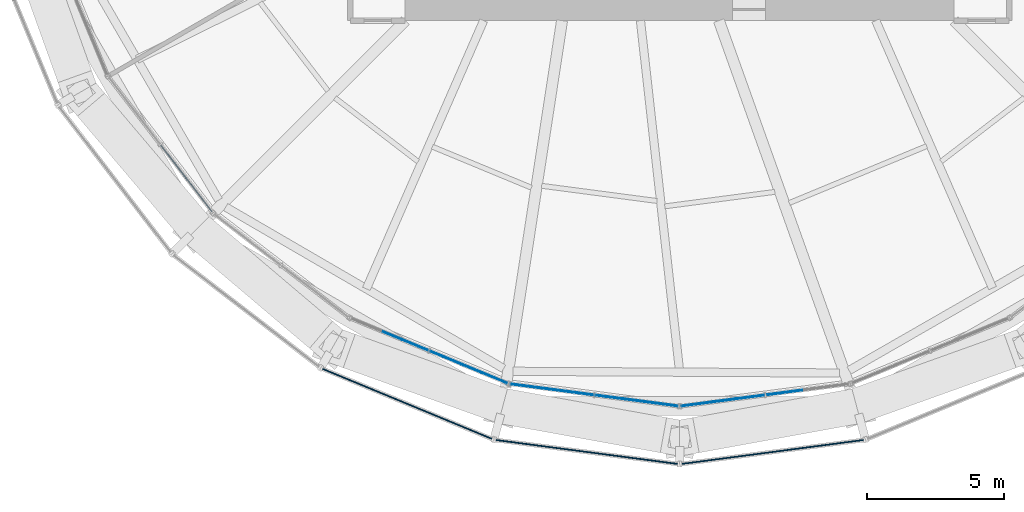
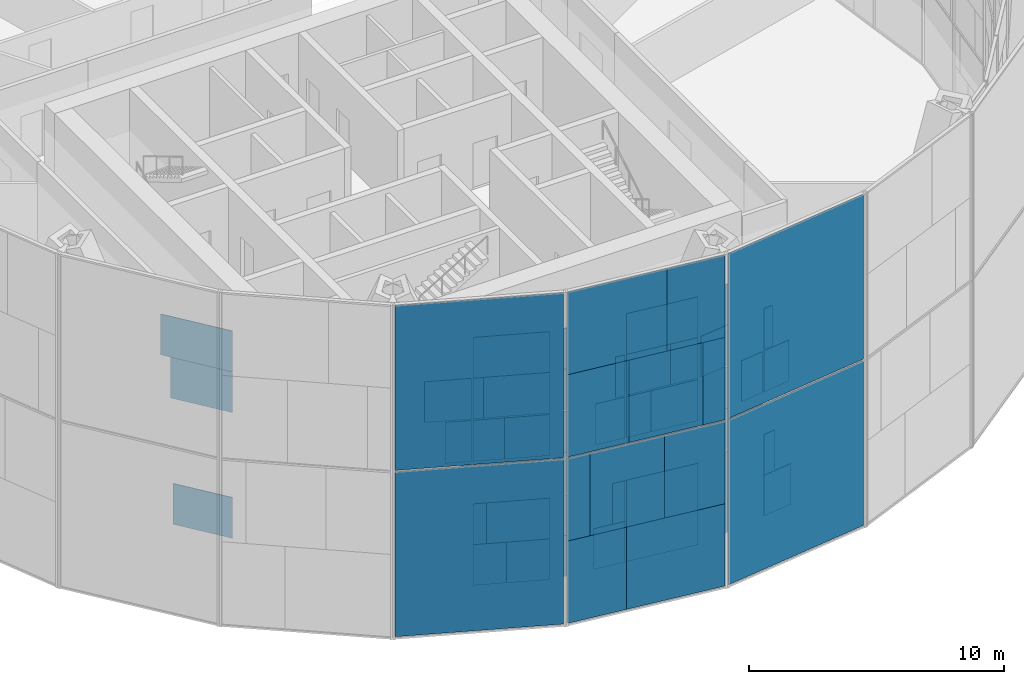
# One storey, part 12 of 26: 62 plates, 7 elements without a shape of their own.
"""IFC4 building model written with IfcOpenShell, lengths in metres."""

from ifc_helpers import new_model, si_unit, direction, frame, origin, origin_2d, place, context, subcontext, project, spatial, rectangle, extrude, material, layer, layer_set, type_object, element, aggregate, save


model = new_model("IFC4")

# Units and contexts
model_context = context("Model", 3, precision=1e-05, world=origin(), true_north=direction((0.0, 1.0)))
body_context = subcontext(model_context, "Body", "Model", "MODEL_VIEW")
ifc_project = project(units=[si_unit("LENGTHUNIT", "METRE"), si_unit("AREAUNIT", "SQUARE_METRE"), si_unit("VOLUMEUNIT", "CUBIC_METRE"), si_unit("PLANEANGLEUNIT", "RADIAN"), si_unit("MASSUNIT", "GRAM", prefix="KILO")], contexts=[model_context])

# Site, building, storey
site_placement = place(None, origin())
site = spatial("IfcSite", under=ifc_project, at=site_placement, CompositionType="ELEMENT")
building_placement = place(site_placement, origin())
building = spatial("IfcBuilding", under=site, at=building_placement, Name="Golbaran Civic Tower", CompositionType="ELEMENT")
storey_placement = place(building_placement, frame((0.0, 0.0, 69.0)))
storey = spatial("IfcBuildingStorey", under=building, at=storey_placement, Name="L16", CompositionType="ELEMENT", Elevation=69.0)

# Curtain wall, plates
ifc_material_1 = material(Name="Aluminium and glass", Category="aluminium")
curtain_wall_type_1 = type_object("IfcCurtainWallType", Name="INNER SKIN CURTAIN WALL", PredefinedType="NOTDEFINED", material=ifc_material_1)
curtain_wall_1_placement = place(storey_placement, origin())
curtain_wall_1 = element("IfcCurtainWall", 1, at=curtain_wall_1_placement, inside=storey, type_object=curtain_wall_type_1, Name="Inner skin L16 facet 15 CW1", ObjectType="INNER SKIN", PredefinedType="USERDEFINED")
ifc_material_2 = material(Name="Clear insulating glass", Category="glass")
ifc_layer_1 = layer(ifc_material_2, 0.031982421875, Name="Clear insulating glass")
ifc_layer_set_1 = layer_set([ifc_layer_1], Name="Clear insulating glass")
plate_type_1 = type_object("IfcPlateType", Name="INNER SKIN CURTAIN WALL GLAZED PANEL", PredefinedType="CURTAIN_PANEL", material=ifc_layer_set_1)
plate_1_placement = place(storey_placement, frame((-17.848388671875, -15.912841796875, 8.032470703125), z_axis=(0.0, 0.0, 1.0), x_axis=(0.608761428967, -0.793353340323, 0.0)))
plate_1 = element("IfcPlate", 2, at=plate_1_placement, type_object=plate_type_1, Name="CW1 panel 2.3 part 2", PredefinedType="CURTAIN_PANEL", context=body_context, shape_type="SweptSolid", body=[
    extrude(rectangle(XDim=2.631103515625, YDim=0.031982421875, at=origin_2d()), origin(), (0.0, 0.0, 1.0), 1.951171875),
])
plate_2_placement = place(storey_placement, frame((-17.9736328125, -15.749755859375, 9.98388671875), z_axis=(0.0, 0.0, 1.0), x_axis=(0.608761428967, -0.793353340323, 0.0)))
plate_2 = element("IfcPlate", 3, at=plate_2_placement, type_object=plate_type_1, Name="CW1 panel 2.3 part 3", PredefinedType="CURTAIN_PANEL", context=body_context, shape_type="SweptSolid", body=[
    extrude(rectangle(XDim=3.0419921875, YDim=0.031982421875, at=origin_2d()), origin(), (0.0, 0.0, 1.0), 1.951171875),
])

curtain_wall_2_placement = place(storey_placement, origin())
curtain_wall_2 = element("IfcCurtainWall", 4, at=curtain_wall_2_placement, inside=storey, type_object=curtain_wall_type_1, Name="Inner skin L16 facet 17 CW1", ObjectType="INNER SKIN", PredefinedType="USERDEFINED")
plate_3_placement = place(storey_placement, frame((-8.48193359375, -22.298583984375, 0.06494140625), z_axis=(0.0, 0.0, 1.0), x_axis=(0.923879532478, -0.382683432446, 0.0)))
plate_3 = element("IfcPlate", 5, at=plate_3_placement, type_object=plate_type_1, Name="CW1 panel 2.1 part 1", PredefinedType="CURTAIN_PANEL", context=body_context, shape_type="SweptSolid", body=[
    extrude(rectangle(XDim=1.3291015625, YDim=0.031982421875, at=origin_2d()), origin(), (0.0, 0.0, 1.0), 1.951171875),
])
plate_4_placement = place(storey_placement, frame((-8.8505859375, -22.14599609375, 2.016357421875), z_axis=(0.0, 0.0, 1.0), x_axis=(0.923879532478, -0.382683432446, 0.0)))
plate_4 = element("IfcPlate", 6, at=plate_4_placement, type_object=plate_type_1, Name="CW1 panel 2.1 part 3", PredefinedType="CURTAIN_PANEL", context=body_context, shape_type="SweptSolid", body=[
    extrude(rectangle(XDim=0.531005859375, YDim=0.031982421875, at=origin_2d()), origin(), (0.0, 0.0, 1.0), 1.951171875),
])
plate_5_placement = place(storey_placement, frame((-6.74365234375, -23.018798828125, 4.03271484375), z_axis=(0.0, 0.0, 1.0), x_axis=(0.923879532478, -0.382683432446, 0.0)))
plate_5 = element("IfcPlate", 7, at=plate_5_placement, type_object=plate_type_1, Name="CW1 panel 2.2 part 2", PredefinedType="CURTAIN_PANEL", context=body_context, shape_type="SweptSolid", body=[
    extrude(rectangle(XDim=0.991943359375, YDim=0.031982421875, at=origin_2d()), origin(), (0.0, 0.0, 1.0), 1.967529296875),
])
plate_6_placement = place(storey_placement, frame((-7.115966796875, -22.864501953125, 6.0), z_axis=(0.0, 0.0, 1.0), x_axis=(0.923879532478, -0.382683432446, 0.0)))
plate_6 = element("IfcPlate", 8, at=plate_6_placement, type_object=plate_type_1, Name="CW1 panel 2.2 part 4", PredefinedType="CURTAIN_PANEL", context=body_context, shape_type="SweptSolid", body=[
    extrude(rectangle(XDim=1.798095703125, YDim=0.031982421875, at=origin_2d()), origin(), (0.0, 0.0, 1.0), 1.967529296875),
])
plate_7_placement = place(storey_placement, frame((-7.500732421875, -22.705078125, 8.032470703125), z_axis=(0.0, 0.0, 1.0), x_axis=(0.923879532478, -0.382683432446, 0.0)))
plate_7 = element("IfcPlate", 9, at=plate_7_placement, type_object=plate_type_1, Name="CW1 panel 2.3 part 2", PredefinedType="CURTAIN_PANEL", context=body_context, shape_type="SweptSolid", body=[
    extrude(rectangle(XDim=2.631103515625, YDim=0.031982421875, at=origin_2d()), origin(), (0.0, 0.0, 1.0), 1.951171875),
])
plate_8_placement = place(storey_placement, frame((-7.690673828125, -22.62646484375, 9.98388671875), z_axis=(0.0, 0.0, 1.0), x_axis=(0.923879532478, -0.382683432446, 0.0)))
plate_8 = element("IfcPlate", 10, at=plate_8_placement, type_object=plate_type_1, Name="CW1 panel 2.3 part 3", PredefinedType="CURTAIN_PANEL", context=body_context, shape_type="SweptSolid", body=[
    extrude(rectangle(XDim=3.0419921875, YDim=0.031982421875, at=origin_2d()), origin(), (0.0, 0.0, 1.0), 1.951171875),
])

curtain_wall_3_placement = place(storey_placement, origin())
curtain_wall_3 = element("IfcCurtainWall", 11, at=curtain_wall_3_placement, inside=storey, type_object=curtain_wall_type_1, Name="Inner skin L16 facet 18 CW1", ObjectType="INNER SKIN", PredefinedType="USERDEFINED")
plate_9_placement = place(storey_placement, frame((-3.8037109375, -23.55224609375, 0.06494140625), z_axis=(0.0, 0.0, 1.0), x_axis=(0.991444861381, -0.130526192168, 0.0)))
plate_9 = element("IfcPlate", 12, at=plate_9_placement, type_object=plate_type_1, Name="CW1 panel 1.1 part 2", PredefinedType="CURTAIN_PANEL", context=body_context, shape_type="SweptSolid", body=[
    extrude(rectangle(XDim=1.3291015625, YDim=0.031982421875, at=origin_2d()), origin(), (0.0, 0.0, 1.0), 1.951171875),
])
plate_10_placement = place(storey_placement, frame((-3.408203125, -23.604248046875, 2.016357421875), z_axis=(0.0, 0.0, 1.0), x_axis=(0.991444861381, -0.130526192168, 0.0)))
plate_10 = element("IfcPlate", 13, at=plate_10_placement, type_object=plate_type_1, Name="CW1 panel 1.1 part 4", PredefinedType="CURTAIN_PANEL", context=body_context, shape_type="SweptSolid", body=[
    extrude(rectangle(XDim=0.531005859375, YDim=0.031982421875, at=origin_2d()), origin(), (0.0, 0.0, 1.0), 1.951171875),
])
plate_11_placement = place(storey_placement, frame((-5.669189453125, -23.306640625, 4.03271484375), z_axis=(0.0, 0.0, 1.0), x_axis=(0.991444861381, -0.130526192168, 0.0)))
plate_11 = element("IfcPlate", 14, at=plate_11_placement, type_object=plate_type_1, Name="CW1 panel 1.2 part 1", PredefinedType="CURTAIN_PANEL", context=body_context, shape_type="SweptSolid", body=[
    extrude(rectangle(XDim=0.991943359375, YDim=0.031982421875, at=origin_2d()), origin(), (0.0, 0.0, 1.0), 1.967529296875),
])
plate_12_placement = place(storey_placement, frame((-5.26904296875, -23.359375, 6.0), z_axis=(0.0, 0.0, 1.0), x_axis=(0.991444861381, -0.130526192168, 0.0)))
plate_12 = element("IfcPlate", 15, at=plate_12_placement, type_object=plate_type_1, Name="CW1 panel 1.2 part 3", PredefinedType="CURTAIN_PANEL", context=body_context, shape_type="SweptSolid", body=[
    extrude(rectangle(XDim=1.799072265625, YDim=0.031982421875, at=origin_2d()), origin(), (0.0, 0.0, 1.0), 1.967529296875),
])
plate_13_placement = place(storey_placement, frame((-4.856689453125, -23.41357421875, 8.032470703125), z_axis=(0.0, 0.0, 1.0), x_axis=(0.991444861381, -0.130526192168, 0.0)))
plate_13 = element("IfcPlate", 16, at=plate_13_placement, type_object=plate_type_1, Name="CW1 panel 1.3 part 1", PredefinedType="CURTAIN_PANEL", context=body_context, shape_type="SweptSolid", body=[
    extrude(rectangle(XDim=2.631103515625, YDim=0.031982421875, at=origin_2d()), origin(), (0.0, 0.0, 1.0), 1.951171875),
])
plate_14_placement = place(storey_placement, frame((-4.65283203125, -23.4404296875, 9.98388671875), z_axis=(0.0, 0.0, 1.0), x_axis=(0.991444861381, -0.130526192168, 0.0)))
plate_14 = element("IfcPlate", 17, at=plate_14_placement, type_object=plate_type_1, Name="CW1 panel 1.3 part 3", PredefinedType="CURTAIN_PANEL", context=body_context, shape_type="SweptSolid", body=[
    extrude(rectangle(XDim=3.0419921875, YDim=0.031982421875, at=origin_2d()), origin(), (0.0, 0.0, 1.0), 1.951171875),
])
plate_15_placement = place(storey_placement, frame((-1.572509765625, -23.845947265625, 0.06494140625), z_axis=(0.0, 0.0, 1.0), x_axis=(0.991444861381, -0.130526192168, 0.0)))
plate_15 = element("IfcPlate", 18, at=plate_15_placement, type_object=plate_type_1, Name="CW1 panel 2.1", PredefinedType="CURTAIN_PANEL", context=body_context, shape_type="SweptSolid", body=[
    extrude(rectangle(XDim=3.0419921875, YDim=0.031982421875, at=origin_2d()), origin(), (0.0, 0.0, 1.0), 3.902587890625),
])
plate_16_placement = place(storey_placement, frame((-1.373779296875, -23.8720703125, 4.03271484375), z_axis=(0.0, 0.0, 1.0), x_axis=(0.991444861381, -0.130526192168, 0.0)))
plate_16 = element("IfcPlate", 19, at=plate_16_placement, type_object=plate_type_1, Name="CW1 panel 2.2 part 2", PredefinedType="CURTAIN_PANEL", context=body_context, shape_type="SweptSolid", body=[
    extrude(rectangle(XDim=2.64111328125, YDim=0.031982421875, at=origin_2d()), origin(), (0.0, 0.0, 1.0), 1.967529296875),
])
plate_17_placement = place(storey_placement, frame((-1.057373046875, -23.913818359375, 6.0), z_axis=(0.0, 0.0, 1.0), x_axis=(0.991444861381, -0.130526192168, 0.0)))
plate_17 = element("IfcPlate", 20, at=plate_17_placement, type_object=plate_type_1, Name="CW1 panel 2.2 part 4", PredefinedType="CURTAIN_PANEL", context=body_context, shape_type="SweptSolid", body=[
    extrude(rectangle(XDim=2.0029296875, YDim=0.031982421875, at=origin_2d()), origin(), (0.0, 0.0, 1.0), 1.967529296875),
])
plate_18_placement = place(storey_placement, frame((-0.64892578125, -23.967529296875, 8.032470703125), z_axis=(0.0, 0.0, 1.0), x_axis=(0.991444861381, -0.130526192168, 0.0)))
plate_18 = element("IfcPlate", 21, at=plate_18_placement, type_object=plate_type_1, Name="CW1 panel 2.3 part 2", PredefinedType="CURTAIN_PANEL", context=body_context, shape_type="SweptSolid", body=[
    extrude(rectangle(XDim=1.178955078125, YDim=0.031982421875, at=origin_2d()), origin(), (0.0, 0.0, 1.0), 1.951171875),
])

curtain_wall_4_placement = place(storey_placement, origin())
curtain_wall_4 = element("IfcCurtainWall", 22, at=curtain_wall_4_placement, inside=storey, type_object=curtain_wall_type_1, Name="Inner skin L16 facet 19 CW1", ObjectType="INNER SKIN", PredefinedType="USERDEFINED")
plate_19_placement = place(storey_placement, frame((1.572509765625, -23.845947265625, 0.06494140625), z_axis=(0.0, 0.0, 1.0), x_axis=(0.991444861381, 0.130526192168, 0.0)))
plate_19 = element("IfcPlate", 23, at=plate_19_placement, type_object=plate_type_1, Name="CW1 panel 1.1", PredefinedType="CURTAIN_PANEL", context=body_context, shape_type="SweptSolid", body=[
    extrude(rectangle(XDim=3.0419921875, YDim=0.031982421875, at=origin_2d()), origin(), (0.0, 0.0, 1.0), 3.902587890625),
])
plate_20_placement = place(storey_placement, frame((1.37353515625, -23.8720703125, 4.03271484375), z_axis=(0.0, 0.0, 1.0), x_axis=(0.991444861381, 0.130526192168, 0.0)))
plate_20 = element("IfcPlate", 24, at=plate_20_placement, type_object=plate_type_1, Name="CW1 panel 1.2 part 1", PredefinedType="CURTAIN_PANEL", context=body_context, shape_type="SweptSolid", body=[
    extrude(rectangle(XDim=2.64111328125, YDim=0.031982421875, at=origin_2d()), origin(), (0.0, 0.0, 1.0), 1.967529296875),
])
plate_21_placement = place(storey_placement, frame((1.057373046875, -23.913818359375, 6.0), z_axis=(0.0, 0.0, 1.0), x_axis=(0.991444861381, 0.130526192168, 0.0)))
plate_21 = element("IfcPlate", 25, at=plate_21_placement, type_object=plate_type_1, Name="CW1 panel 1.2 part 3", PredefinedType="CURTAIN_PANEL", context=body_context, shape_type="SweptSolid", body=[
    extrude(rectangle(XDim=2.0029296875, YDim=0.031982421875, at=origin_2d()), origin(), (0.0, 0.0, 1.0), 1.967529296875),
])
plate_22_placement = place(storey_placement, frame((0.64892578125, -23.967529296875, 8.032470703125), z_axis=(0.0, 0.0, 1.0), x_axis=(0.991444861381, 0.130526192168, 0.0)))
plate_22 = element("IfcPlate", 26, at=plate_22_placement, type_object=plate_type_1, Name="CW1 panel 1.3 part 1", PredefinedType="CURTAIN_PANEL", context=body_context, shape_type="SweptSolid", body=[
    extrude(rectangle(XDim=1.178955078125, YDim=0.031982421875, at=origin_2d()), origin(), (0.0, 0.0, 1.0), 1.951171875),
])
plate_23_placement = place(storey_placement, frame((3.8037109375, -23.55224609375, 0.06494140625), z_axis=(0.0, 0.0, 1.0), x_axis=(0.991444861381, 0.130526192168, 0.0)))
plate_23 = element("IfcPlate", 27, at=plate_23_placement, type_object=plate_type_1, Name="CW1 panel 2.1 part 1", PredefinedType="CURTAIN_PANEL", context=body_context, shape_type="SweptSolid", body=[
    extrude(rectangle(XDim=1.3291015625, YDim=0.031982421875, at=origin_2d()), origin(), (0.0, 0.0, 1.0), 1.951171875),
])
plate_24_placement = place(storey_placement, frame((3.408203125, -23.604248046875, 2.016357421875), z_axis=(0.0, 0.0, 1.0), x_axis=(0.991444861381, 0.130526192168, 0.0)))
plate_24 = element("IfcPlate", 28, at=plate_24_placement, type_object=plate_type_1, Name="CW1 panel 2.1 part 3", PredefinedType="CURTAIN_PANEL", context=body_context, shape_type="SweptSolid", body=[
    extrude(rectangle(XDim=0.531005859375, YDim=0.031982421875, at=origin_2d()), origin(), (0.0, 0.0, 1.0), 1.951171875),
])

# Plate
ifc_material_3 = material(Name="Aluminium faced opaque infill panel", Category="aluminium")
ifc_layer_2 = layer(ifc_material_3, 0.031982421875, Name="Aluminium faced opaque infill panel")
ifc_layer_set_2 = layer_set([ifc_layer_2], Name="Aluminium faced opaque infill panel")
plate_type_2 = type_object("IfcPlateType", Name="INNER SKIN CURTAIN WALL OPAQUE INFILL PANEL", PredefinedType="CURTAIN_PANEL", material=ifc_layer_set_2)
plate_25_placement = place(storey_placement, frame((-17.81201171875, -15.96044921875, 2.016357421875), z_axis=(0.0, 0.0, 1.0), x_axis=(0.608761428967, -0.793353340323, 0.0)))
plate_25 = element("IfcPlate", 29, at=plate_25_placement, type_object=plate_type_2, Name="CW1 infill panel 2.1 part 4", PredefinedType="CURTAIN_PANEL", context=body_context, shape_type="SweptSolid", body=[
    extrude(rectangle(XDim=2.510986328125, YDim=0.031982421875, at=origin_2d()), origin(), (0.0, 0.0, 1.0), 1.951171875),
])

aggregate(curtain_wall_1, [plate_25, plate_1, plate_2])

plate_26_placement = place(storey_placement, frame((-9.34130859375, -21.94287109375, 4.03271484375), z_axis=(0.0, 0.0, 1.0), x_axis=(0.923879532478, -0.382683432446, 0.0)))
plate_26 = element("IfcPlate", 30, at=plate_26_placement, type_object=plate_type_2, Name="CW1 infill panel 1.2 part 2", PredefinedType="CURTAIN_PANEL", context=body_context, shape_type="SweptSolid", body=[
    extrude(rectangle(XDim=0.401123046875, YDim=0.031982421875, at=origin_2d()), origin(), (0.0, 0.0, 1.0), 1.967529296875),
])

plate_27_placement = place(storey_placement, frame((-9.635986328125, -21.82080078125, 6.0), z_axis=(0.0, 0.0, 1.0), x_axis=(0.923879532478, -0.382683432446, 0.0)))
plate_27 = element("IfcPlate", 31, at=plate_27_placement, type_object=plate_type_2, Name="CW1 infill panel 1.2 part 4", PredefinedType="CURTAIN_PANEL", context=body_context, shape_type="SweptSolid", body=[
    extrude(rectangle(XDim=1.0390625, YDim=0.031982421875, at=origin_2d()), origin(), (0.0, 0.0, 1.0), 1.967529296875),
])

plate_28_placement = place(storey_placement, frame((-10.0166015625, -21.6630859375, 8.032470703125), z_axis=(0.0, 0.0, 1.0), x_axis=(0.923879532478, -0.382683432446, 0.0)))
plate_28 = element("IfcPlate", 32, at=plate_28_placement, type_object=plate_type_2, Name="CW1 infill panel 1.3 part 2", PredefinedType="CURTAIN_PANEL", context=body_context, shape_type="SweptSolid", body=[
    extrude(rectangle(XDim=1.863037109375, YDim=0.031982421875, at=origin_2d()), origin(), (0.0, 0.0, 1.0), 1.951171875),
])

plate_29_placement = place(storey_placement, frame((-7.07666015625, -22.880859375, 0.06494140625), z_axis=(0.0, 0.0, 1.0), x_axis=(0.923879532478, -0.382683432446, 0.0)))
plate_29 = element("IfcPlate", 33, at=plate_29_placement, type_object=plate_type_2, Name="CW1 infill panel 2.1 part 2", PredefinedType="CURTAIN_PANEL", context=body_context, shape_type="SweptSolid", body=[
    extrude(rectangle(XDim=1.713134765625, YDim=0.031982421875, at=origin_2d()), origin(), (0.0, 0.0, 1.0), 1.951171875),
])

plate_30_placement = place(storey_placement, frame((-7.4453125, -22.72802734375, 2.016357421875), z_axis=(0.0, 0.0, 1.0), x_axis=(0.923879532478, -0.382683432446, 0.0)))
plate_30 = element("IfcPlate", 34, at=plate_30_placement, type_object=plate_type_2, Name="CW1 infill panel 2.1 part 4", PredefinedType="CURTAIN_PANEL", context=body_context, shape_type="SweptSolid", body=[
    extrude(rectangle(XDim=2.510986328125, YDim=0.031982421875, at=origin_2d()), origin(), (0.0, 0.0, 1.0), 1.951171875),
])

plate_31_placement = place(storey_placement, frame((-8.14892578125, -22.436767578125, 4.03271484375), z_axis=(0.0, 0.0, 1.0), x_axis=(0.923879532478, -0.382683432446, 0.0)))
plate_31 = element("IfcPlate", 35, at=plate_31_placement, type_object=plate_type_2, Name="CW1 infill panel 2.2 part 1", PredefinedType="CURTAIN_PANEL", context=body_context, shape_type="SweptSolid", body=[
    extrude(rectangle(XDim=2.050048828125, YDim=0.031982421875, at=origin_2d()), origin(), (0.0, 0.0, 1.0), 1.967529296875),
])

plate_32_placement = place(storey_placement, frame((-8.521240234375, -22.282470703125, 6.0), z_axis=(0.0, 0.0, 1.0), x_axis=(0.923879532478, -0.382683432446, 0.0)))
plate_32 = element("IfcPlate", 36, at=plate_32_placement, type_object=plate_type_2, Name="CW1 infill panel 2.2 part 3", PredefinedType="CURTAIN_PANEL", context=body_context, shape_type="SweptSolid", body=[
    extrude(rectangle(XDim=1.243896484375, YDim=0.031982421875, at=origin_2d()), origin(), (0.0, 0.0, 1.0), 1.967529296875),
])

plate_33_placement = place(storey_placement, frame((-8.906005859375, -22.123046875, 8.032470703125), z_axis=(0.0, 0.0, 1.0), x_axis=(0.923879532478, -0.382683432446, 0.0)))
plate_33 = element("IfcPlate", 37, at=plate_33_placement, type_object=plate_type_2, Name="CW1 infill panel 2.3 part 1", PredefinedType="CURTAIN_PANEL", context=body_context, shape_type="SweptSolid", body=[
    extrude(rectangle(XDim=0.410888671875, YDim=0.031982421875, at=origin_2d()), origin(), (0.0, 0.0, 1.0), 1.951171875),
])

aggregate(curtain_wall_2, [plate_26, plate_27, plate_28, plate_3, plate_29, plate_4, plate_30, plate_31, plate_5, plate_32, plate_6, plate_33, plate_7, plate_8])

plate_34_placement = place(storey_placement, frame((-5.311767578125, -23.353759765625, 0.06494140625), z_axis=(0.0, 0.0, 1.0), x_axis=(0.991444861381, -0.130526192168, 0.0)))
plate_34 = element("IfcPlate", 38, at=plate_34_placement, type_object=plate_type_2, Name="CW1 infill panel 1.1 part 1", PredefinedType="CURTAIN_PANEL", context=body_context, shape_type="SweptSolid", body=[
    extrude(rectangle(XDim=1.712890625, YDim=0.031982421875, at=origin_2d()), origin(), (0.0, 0.0, 1.0), 1.951171875),
])

plate_35_placement = place(storey_placement, frame((-4.916259765625, -23.40576171875, 2.016357421875), z_axis=(0.0, 0.0, 1.0), x_axis=(0.991444861381, -0.130526192168, 0.0)))
plate_35 = element("IfcPlate", 39, at=plate_35_placement, type_object=plate_type_2, Name="CW1 infill panel 1.1 part 3", PredefinedType="CURTAIN_PANEL", context=body_context, shape_type="SweptSolid", body=[
    extrude(rectangle(XDim=2.510986328125, YDim=0.031982421875, at=origin_2d()), origin(), (0.0, 0.0, 1.0), 1.951171875),
])

plate_36_placement = place(storey_placement, frame((-4.1611328125, -23.505126953125, 4.03271484375), z_axis=(0.0, 0.0, 1.0), x_axis=(0.991444861381, -0.130526192168, 0.0)))
plate_36 = element("IfcPlate", 40, at=plate_36_placement, type_object=plate_type_2, Name="CW1 infill panel 1.2 part 2", PredefinedType="CURTAIN_PANEL", context=body_context, shape_type="SweptSolid", body=[
    extrude(rectangle(XDim=2.050048828125, YDim=0.031982421875, at=origin_2d()), origin(), (0.0, 0.0, 1.0), 1.967529296875),
])

plate_37_placement = place(storey_placement, frame((-3.76123046875, -23.557861328125, 6.0), z_axis=(0.0, 0.0, 1.0), x_axis=(0.991444861381, -0.130526192168, 0.0)))
plate_37 = element("IfcPlate", 41, at=plate_37_placement, type_object=plate_type_2, Name="CW1 infill panel 1.2 part 4", PredefinedType="CURTAIN_PANEL", context=body_context, shape_type="SweptSolid", body=[
    extrude(rectangle(XDim=1.2431640625, YDim=0.031982421875, at=origin_2d()), origin(), (0.0, 0.0, 1.0), 1.967529296875),
])

plate_38_placement = place(storey_placement, frame((-3.3486328125, -23.612060546875, 8.032470703125), z_axis=(0.0, 0.0, 1.0), x_axis=(0.991444861381, -0.130526192168, 0.0)))
plate_38 = element("IfcPlate", 42, at=plate_38_placement, type_object=plate_type_2, Name="CW1 infill panel 1.3 part 2", PredefinedType="CURTAIN_PANEL", context=body_context, shape_type="SweptSolid", body=[
    extrude(rectangle(XDim=0.4111328125, YDim=0.031982421875, at=origin_2d()), origin(), (0.0, 0.0, 1.0), 1.951171875),
])

plate_39_placement = place(storey_placement, frame((-2.881591796875, -23.673583984375, 4.03271484375), z_axis=(0.0, 0.0, 1.0), x_axis=(0.991444861381, -0.130526192168, 0.0)))
plate_39 = element("IfcPlate", 43, at=plate_39_placement, type_object=plate_type_2, Name="CW1 infill panel 2.2 part 1", PredefinedType="CURTAIN_PANEL", context=body_context, shape_type="SweptSolid", body=[
    extrude(rectangle(XDim=0.40087890625, YDim=0.031982421875, at=origin_2d()), origin(), (0.0, 0.0, 1.0), 1.967529296875),
])

plate_40_placement = place(storey_placement, frame((-2.5654296875, -23.71533203125, 6.0), z_axis=(0.0, 0.0, 1.0), x_axis=(0.991444861381, -0.130526192168, 0.0)))
plate_40 = element("IfcPlate", 44, at=plate_40_placement, type_object=plate_type_2, Name="CW1 infill panel 2.2 part 3", PredefinedType="CURTAIN_PANEL", context=body_context, shape_type="SweptSolid", body=[
    extrude(rectangle(XDim=1.0390625, YDim=0.031982421875, at=origin_2d()), origin(), (0.0, 0.0, 1.0), 1.967529296875),
])

plate_41_placement = place(storey_placement, frame((-2.156982421875, -23.76904296875, 8.032470703125), z_axis=(0.0, 0.0, 1.0), x_axis=(0.991444861381, -0.130526192168, 0.0)))
plate_41 = element("IfcPlate", 45, at=plate_41_placement, type_object=plate_type_2, Name="CW1 infill panel 2.3 part 1", PredefinedType="CURTAIN_PANEL", context=body_context, shape_type="SweptSolid", body=[
    extrude(rectangle(XDim=1.863037109375, YDim=0.031982421875, at=origin_2d()), origin(), (0.0, 0.0, 1.0), 1.951171875),
])

plate_42_placement = place(storey_placement, frame((-1.572509765625, -23.845947265625, 9.98388671875), z_axis=(0.0, 0.0, 1.0), x_axis=(0.991444861381, -0.130526192168, 0.0)))
plate_42 = element("IfcPlate", 46, at=plate_42_placement, type_object=plate_type_2, Name="CW1 infill panel 2.3 part 3", PredefinedType="CURTAIN_PANEL", context=body_context, shape_type="SweptSolid", body=[
    extrude(rectangle(XDim=3.0419921875, YDim=0.031982421875, at=origin_2d()), origin(), (0.0, 0.0, 1.0), 1.951171875),
])

aggregate(curtain_wall_3, [plate_34, plate_9, plate_35, plate_10, plate_11, plate_36, plate_12, plate_37, plate_13, plate_38, plate_14, plate_15, plate_39, plate_16, plate_40, plate_17, plate_41, plate_18, plate_42])

plate_43_placement = place(storey_placement, frame((2.881591796875, -23.673583984375, 4.03271484375), z_axis=(0.0, 0.0, 1.0), x_axis=(0.991444861381, 0.130526192168, 0.0)))
plate_43 = element("IfcPlate", 47, at=plate_43_placement, type_object=plate_type_2, Name="CW1 infill panel 1.2 part 2", PredefinedType="CURTAIN_PANEL", context=body_context, shape_type="SweptSolid", body=[
    extrude(rectangle(XDim=0.401123046875, YDim=0.031982421875, at=origin_2d()), origin(), (0.0, 0.0, 1.0), 1.967529296875),
])

plate_44_placement = place(storey_placement, frame((2.5654296875, -23.71533203125, 6.0), z_axis=(0.0, 0.0, 1.0), x_axis=(0.991444861381, 0.130526192168, 0.0)))
plate_44 = element("IfcPlate", 48, at=plate_44_placement, type_object=plate_type_2, Name="CW1 infill panel 1.2 part 4", PredefinedType="CURTAIN_PANEL", context=body_context, shape_type="SweptSolid", body=[
    extrude(rectangle(XDim=1.0390625, YDim=0.031982421875, at=origin_2d()), origin(), (0.0, 0.0, 1.0), 1.967529296875),
])

plate_45_placement = place(storey_placement, frame((2.156982421875, -23.76904296875, 8.032470703125), z_axis=(0.0, 0.0, 1.0), x_axis=(0.991444861381, 0.130526192168, 0.0)))
plate_45 = element("IfcPlate", 49, at=plate_45_placement, type_object=plate_type_2, Name="CW1 infill panel 1.3 part 2", PredefinedType="CURTAIN_PANEL", context=body_context, shape_type="SweptSolid", body=[
    extrude(rectangle(XDim=1.863037109375, YDim=0.031982421875, at=origin_2d()), origin(), (0.0, 0.0, 1.0), 1.951171875),
])

plate_46_placement = place(storey_placement, frame((1.572509765625, -23.845947265625, 9.98388671875), z_axis=(0.0, 0.0, 1.0), x_axis=(0.991444861381, 0.130526192168, 0.0)))
plate_46 = element("IfcPlate", 50, at=plate_46_placement, type_object=plate_type_2, Name="CW1 infill panel 1.3 part 3", PredefinedType="CURTAIN_PANEL", context=body_context, shape_type="SweptSolid", body=[
    extrude(rectangle(XDim=3.0419921875, YDim=0.031982421875, at=origin_2d()), origin(), (0.0, 0.0, 1.0), 1.951171875),
])

plate_47_placement = place(storey_placement, frame((3.761474609375, -23.557861328125, 6.0), z_axis=(0.0, 0.0, 1.0), x_axis=(0.991444861381, 0.130526192168, 0.0)))
plate_47 = element("IfcPlate", 51, at=plate_47_placement, type_object=plate_type_2, Name="CW1 infill panel 2.2 part 3", PredefinedType="CURTAIN_PANEL", context=body_context, shape_type="SweptSolid", body=[
    extrude(rectangle(XDim=1.243896484375, YDim=0.031982421875, at=origin_2d()), origin(), (0.0, 0.0, 1.0), 1.967529296875),
])

plate_48_placement = place(storey_placement, frame((3.3486328125, -23.612060546875, 8.032470703125), z_axis=(0.0, 0.0, 1.0), x_axis=(0.991444861381, 0.130526192168, 0.0)))
plate_48 = element("IfcPlate", 52, at=plate_48_placement, type_object=plate_type_2, Name="CW1 infill panel 2.3 part 1", PredefinedType="CURTAIN_PANEL", context=body_context, shape_type="SweptSolid", body=[
    extrude(rectangle(XDim=0.410888671875, YDim=0.031982421875, at=origin_2d()), origin(), (0.0, 0.0, 1.0), 1.951171875),
])

aggregate(curtain_wall_4, [plate_19, plate_20, plate_43, plate_21, plate_44, plate_22, plate_45, plate_46, plate_23, plate_24, plate_47, plate_48])

# Curtain wall, plates
curtain_wall_type_2 = type_object("IfcCurtainWallType", Name="OUTER SKIN TERRACOTTA SCREEN", PredefinedType="NOTDEFINED", material=ifc_material_1)
curtain_wall_5_placement = place(storey_placement, origin())
curtain_wall_5 = element("IfcCurtainWall", 53, at=curtain_wall_5_placement, inside=storey, type_object=curtain_wall_type_2, Name="Outer skin L16 facet 18 CW3", ObjectType="OUTER SKIN", PredefinedType="USERDEFINED")
ifc_material_4 = material(Name="Clear laminated glass", Category="glass")
ifc_layer_3 = layer(ifc_material_4, 0.0400390625, Name="Clear laminated glass")
ifc_layer_set_3 = layer_set([ifc_layer_3], Name="Clear laminated glass")
plate_type_3 = type_object("IfcPlateType", Name="OUTER SKIN CLEAR GLASS PANEL", PredefinedType="CURTAIN_PANEL", material=ifc_layer_set_3)
plate_49_placement = place(storey_placement, frame((-2.152099609375, -25.877685546875, -0.6298828125), z_axis=(0.0, 0.0, 1.0), x_axis=(0.991444861383, -0.130526192151, 0.0)))
plate_49 = element("IfcPlate", 54, at=plate_49_placement, type_object=plate_type_3, Name="CW3 panel 1.1 part 2", PredefinedType="CURTAIN_PANEL", context=body_context, shape_type="SweptSolid", body=[
    extrude(rectangle(XDim=4.181396484375, YDim=0.0400390625, at=origin_2d()), origin(), (0.0, 0.0, 1.0), 3.93994140625),
])
plate_50_placement = place(storey_placement, frame((-6.21826171875, -25.34228515625, 3.31005859375), z_axis=(0.0, 0.0, 1.0), x_axis=(0.991444861383, -0.130526192151, 0.0)))
plate_50 = element("IfcPlate", 55, at=plate_50_placement, type_object=plate_type_3, Name="CW3 panel 1.1 part 3", PredefinedType="CURTAIN_PANEL", context=body_context, shape_type="SweptSolid", body=[
    extrude(rectangle(XDim=0.955078125, YDim=0.0400390625, at=origin_2d()), origin(), (0.0, 0.0, 1.0), 3.93994140625),
])
plate_51_placement = place(storey_placement, frame((-1.35205078125, -25.98291015625, 3.31005859375), z_axis=(0.0, 0.0, 1.0), x_axis=(0.991444861383, -0.130526192151, 0.0)))
plate_51 = element("IfcPlate", 56, at=plate_51_placement, type_object=plate_type_3, Name="CW3 panel 1.1 part 5", PredefinedType="CURTAIN_PANEL", context=body_context, shape_type="SweptSolid", body=[
    extrude(rectangle(XDim=2.5673828125, YDim=0.0400390625, at=origin_2d()), origin(), (0.0, 0.0, 1.0), 3.93994140625),
])
plate_52_placement = place(storey_placement, frame((-5.40380859375, -25.449462890625, 7.330078125), z_axis=(0.0, 0.0, 1.0), x_axis=(0.991444861383, -0.130526192151, 0.0)))
plate_52 = element("IfcPlate", 57, at=plate_52_placement, type_object=plate_type_3, Name="CW3 panel 1.2 part 1", PredefinedType="CURTAIN_PANEL", context=body_context, shape_type="SweptSolid", body=[
    extrude(rectangle(XDim=2.597900390625, YDim=0.0400390625, at=origin_2d()), origin(), (0.0, 0.0, 1.0), 3.93994140625),
])
plate_53_placement = place(storey_placement, frame((-0.53564453125, -26.090576171875, 7.330078125), z_axis=(0.0, 0.0, 1.0), x_axis=(0.991444861383, -0.130526192151, 0.0)))
plate_53 = element("IfcPlate", 58, at=plate_53_placement, type_object=plate_type_3, Name="CW3 panel 1.2 part 3", PredefinedType="CURTAIN_PANEL", context=body_context, shape_type="SweptSolid", body=[
    extrude(rectangle(XDim=0.92041015625, YDim=0.0400390625, at=origin_2d()), origin(), (0.0, 0.0, 1.0), 3.93994140625),
])
plate_54_placement = place(storey_placement, frame((-4.605224609375, -25.5546875, 11.27001953125), z_axis=(0.0, 0.0, 1.0), x_axis=(0.991444861383, -0.130526192151, 0.0)))
plate_54 = element("IfcPlate", 59, at=plate_54_placement, type_object=plate_type_3, Name="CW3 panel 1.2 part 4", PredefinedType="CURTAIN_PANEL", context=body_context, shape_type="SweptSolid", body=[
    extrude(rectangle(XDim=4.208984375, YDim=0.0400390625, at=origin_2d()), origin(), (0.0, 0.0, 1.0), 3.93994140625),
])
ifc_material_5 = material(Name="Terracotta baguette screen", Category="masonry")
ifc_layer_4 = layer(ifc_material_5, 0.0400390625, Name="Terracotta baguette screen")
ifc_layer_set_4 = layer_set([ifc_layer_4], Name="Terracotta baguette screen")
plate_type_4 = type_object("IfcPlateType", Name="OUTER SKIN TERRACOTTA INFILL PANEL", PredefinedType="CURTAIN_PANEL", material=ifc_layer_set_4)
plate_55_placement = place(storey_placement, frame((-5.458251953125, -25.4423828125, -0.6298828125), z_axis=(0.0, 0.0, 1.0), x_axis=(0.991444861383, -0.130526192151, 0.0)))
plate_55 = element("IfcPlate", 60, at=plate_55_placement, type_object=plate_type_4, Name="CW3 infill panel 1.1 part 1", PredefinedType="CURTAIN_PANEL", context=body_context, shape_type="SweptSolid", body=[
    extrude(rectangle(XDim=2.488037109375, YDim=0.0400390625, at=origin_2d()), origin(), (0.0, 0.0, 1.0), 3.93994140625),
])
plate_56_placement = place(storey_placement, frame((-4.184814453125, -25.610107421875, 3.31005859375), z_axis=(0.0, 0.0, 1.0), x_axis=(0.991444861383, -0.130526192151, 0.0)))
plate_56 = element("IfcPlate", 61, at=plate_56_placement, type_object=plate_type_4, Name="CW3 infill panel 1.1 part 4", PredefinedType="CURTAIN_PANEL", context=body_context, shape_type="SweptSolid", body=[
    extrude(rectangle(XDim=3.14697265625, YDim=0.0400390625, at=origin_2d()), origin(), (0.0, 0.0, 1.0), 3.93994140625),
])
plate_57_placement = place(storey_placement, frame((-2.553955078125, -25.82470703125, 7.330078125), z_axis=(0.0, 0.0, 1.0), x_axis=(0.991444861383, -0.130526192151, 0.0)))
plate_57 = element("IfcPlate", 62, at=plate_57_placement, type_object=plate_type_4, Name="CW3 infill panel 1.2 part 2", PredefinedType="CURTAIN_PANEL", context=body_context, shape_type="SweptSolid", body=[
    extrude(rectangle(XDim=3.15087890625, YDim=0.0400390625, at=origin_2d()), origin(), (0.0, 0.0, 1.0), 3.93994140625),
])
plate_58_placement = place(storey_placement, frame((-1.299072265625, -25.989990234375, 11.27001953125), z_axis=(0.0, 0.0, 1.0), x_axis=(0.991444861383, -0.130526192151, 0.0)))
plate_58 = element("IfcPlate", 63, at=plate_58_placement, type_object=plate_type_4, Name="CW3 infill panel 1.2 part 5", PredefinedType="CURTAIN_PANEL", context=body_context, shape_type="SweptSolid", body=[
    extrude(rectangle(XDim=2.46044921875, YDim=0.0400390625, at=origin_2d()), origin(), (0.0, 0.0, 1.0), 3.93994140625),
])
aggregate(curtain_wall_5, [plate_55, plate_49, plate_50, plate_56, plate_51, plate_52, plate_57, plate_53, plate_54, plate_58])

curtain_wall_6_placement = place(storey_placement, origin())
curtain_wall_6 = element("IfcCurtainWall", 64, at=curtain_wall_6_placement, inside=storey, type_object=curtain_wall_type_2, Name="Outer skin L16 facet 17 CW3", ObjectType="OUTER SKIN", PredefinedType="USERDEFINED")
ifc_layer_5 = layer(ifc_material_5, 0.0400390625, Name="Terracotta baguette screen")
ifc_layer_set_5 = layer_set([ifc_layer_5], Name="Terracotta baguette screen")
plate_type_5 = type_object("IfcPlateType", Name="OUTER SKIN TERRACOTTA SCREEN PANEL", PredefinedType="CURTAIN_PANEL", material=ifc_layer_set_5)
plate_59_placement = place(storey_placement, frame((-9.92578125, -23.962890625, -0.6298828125), z_axis=(0.0, 0.0, 1.0), x_axis=(0.923879532465, -0.382683432478, 0.0)))
plate_59 = element("IfcPlate", 65, at=plate_59_placement, type_object=plate_type_5, Name="CW3 terracotta screen panel 1.1", PredefinedType="CURTAIN_PANEL", context=body_context, shape_type="SweptSolid", body=[
    extrude(rectangle(XDim=6.66943359375, YDim=0.0400390625, at=origin_2d()), origin(), (0.0, 0.0, 1.0), 7.8798828125),
])
plate_60_placement = place(storey_placement, frame((-9.92578125, -23.962890625, 7.330078125), z_axis=(0.0, 0.0, 1.0), x_axis=(0.923879532465, -0.382683432478, 0.0)))
plate_60 = element("IfcPlate", 66, at=plate_60_placement, type_object=plate_type_5, Name="CW3 terracotta screen panel 1.2", PredefinedType="CURTAIN_PANEL", context=body_context, shape_type="SweptSolid", body=[
    extrude(rectangle(XDim=6.66943359375, YDim=0.0400390625, at=origin_2d()), origin(), (0.0, 0.0, 1.0), 7.8798828125),
])
aggregate(curtain_wall_6, [plate_59, plate_60])

curtain_wall_7_placement = place(storey_placement, origin())
curtain_wall_7 = element("IfcCurtainWall", 67, at=curtain_wall_7_placement, inside=storey, type_object=curtain_wall_type_2, Name="Outer skin L16 facet 19 CW3", ObjectType="OUTER SKIN", PredefinedType="USERDEFINED")
plate_61_placement = place(storey_placement, frame((3.385498046875, -25.71533203125, -0.6298828125), z_axis=(0.0, 0.0, 1.0), x_axis=(0.991444861383, 0.130526192151, 0.0)))
plate_61 = element("IfcPlate", 68, at=plate_61_placement, type_object=plate_type_5, Name="CW3 terracotta screen panel 1.1", PredefinedType="CURTAIN_PANEL", context=body_context, shape_type="SweptSolid", body=[
    extrude(rectangle(XDim=6.66943359375, YDim=0.0400390625, at=origin_2d()), origin(), (0.0, 0.0, 1.0), 7.8798828125),
])
plate_62_placement = place(storey_placement, frame((3.385498046875, -25.71533203125, 7.330078125), z_axis=(0.0, 0.0, 1.0), x_axis=(0.991444861383, 0.130526192151, 0.0)))
plate_62 = element("IfcPlate", 69, at=plate_62_placement, type_object=plate_type_5, Name="CW3 terracotta screen panel 1.2", PredefinedType="CURTAIN_PANEL", context=body_context, shape_type="SweptSolid", body=[
    extrude(rectangle(XDim=6.66943359375, YDim=0.0400390625, at=origin_2d()), origin(), (0.0, 0.0, 1.0), 7.8798828125),
])
aggregate(curtain_wall_7, [plate_61, plate_62])

save(model, "model.ifc")
